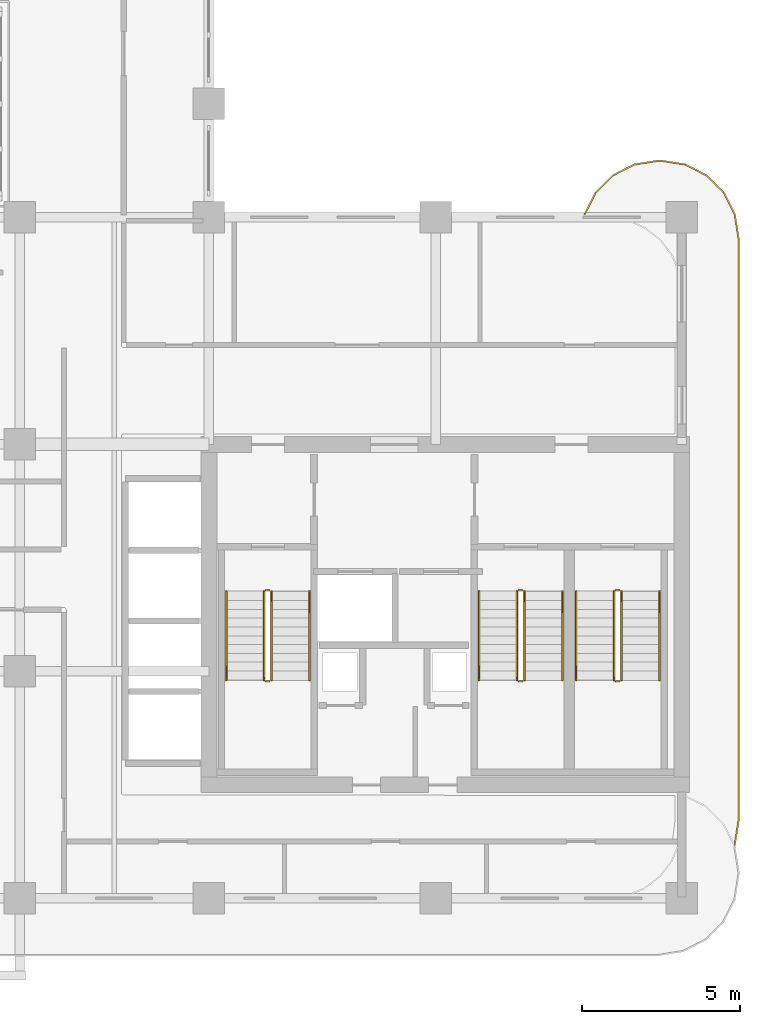
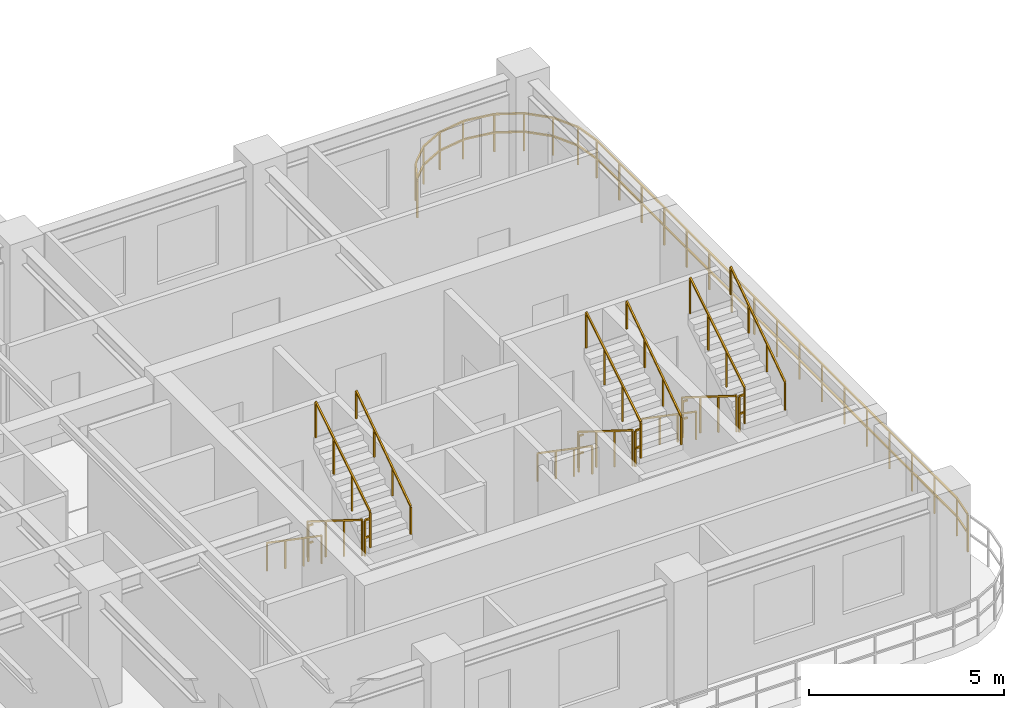
# One storey, part 19 of 21: 19 railings.
"""IFC4 building model written with IfcOpenShell, lengths in metres."""

from ifc_helpers import new_model, si_unit, derived_unit, direction, frame, origin, origin_2d, place, context, subcontext, project, spatial, rectangle, extrude, material, type_object, element, save


model = new_model("IFC4")

# Units and contexts
model_context = context("Model", 3, precision=1e-05, world=origin(), true_north=direction((0.0, 1.0)))
body_context = subcontext(model_context, "Body", "Model", "MODEL_VIEW")
ifc_project = project(units=[si_unit("LENGTHUNIT", "METRE"), si_unit("AREAUNIT", "SQUARE_METRE"), si_unit("VOLUMEUNIT", "CUBIC_METRE"), si_unit("PLANEANGLEUNIT", "RADIAN"), si_unit("MASSUNIT", "GRAM", prefix="KILO"), si_unit("THERMODYNAMICTEMPERATUREUNIT", "KELVIN"), si_unit("POWERUNIT", "WATT"), derived_unit("THERMALTRANSMITTANCEUNIT", [(si_unit("POWERUNIT", "WATT"), 1), (si_unit("AREAUNIT", "SQUARE_METRE"), -1), (si_unit("THERMODYNAMICTEMPERATUREUNIT", "KELVIN"), -1)])], contexts=[model_context])

# Site, building, storey
site_placement = place(None, origin())
site = spatial("IfcSite", under=ifc_project, at=site_placement, CompositionType="ELEMENT")
building_placement = place(site_placement, origin())
building = spatial("IfcBuilding", under=site, at=building_placement, Name="Zahravan Archway Hotel and Residences", CompositionType="ELEMENT")
storey_placement = place(building_placement, frame((0.0, 0.0, 165.699951171875)))
storey = spatial("IfcBuildingStorey", under=building, at=storey_placement, Name="L41", CompositionType="ELEMENT", Elevation=165.699951171875)

# Railings
ifc_material_1 = material(Name="Bronze & Laminated Glass Balustrade", Category="glass")
railing_type_1 = type_object("IfcRailingType", Name="RL-BAL-1200", PredefinedType="BALUSTRADE", material=ifc_material_1)
railing_1_placement = place(storey_placement, frame((46.719970703125, 21.70703125, 0.0)))
element("IfcRailing", 1, at=railing_1_placement, inside=storey, type_object=railing_type_1, Name="L41 Balustrade RL-SLB-BAL-L41-EA-1", PredefinedType="BALUSTRADE", context=body_context, shape_type="SweptSolid", body=[
    extrude(rectangle(XDim=0.048095703125, YDim=0.048095703125, at=origin_2d()), frame((0.0, 0.0, 1.17578125), z_axis=(0.453825591531, 0.891090529897, 0.0), x_axis=(-0.891090529897, 0.453825591531, 0.0)), (0.0, 0.0, 1.0), 0.7666015625),
    extrude(rectangle(XDim=0.048095703125, YDim=0.048095703125, at=origin_2d()), frame((0.0, 0.0, 0.60009765625), z_axis=(0.453825591531, 0.891090529897, 0.0), x_axis=(-0.891090529897, 0.453825591531, 0.0)), (0.0, 0.0, 1.0), 0.7666015625),
    extrude(rectangle(XDim=0.048095703125, YDim=0.048095703125, at=origin_2d()), frame((0.347900390625, 0.68310546875, 1.17578125), z_axis=(0.707106781187, 0.707106781187, 0.0), x_axis=(-0.707106781187, 0.707106781187, 0.0)), (0.0, 0.0, 1.0), 0.7666015625),
    extrude(rectangle(XDim=0.048095703125, YDim=0.048095703125, at=origin_2d()), frame((0.347900390625, 0.68310546875, 0.60009765625), z_axis=(0.707106781187, 0.707106781187, 0.0), x_axis=(-0.707106781187, 0.707106781187, 0.0)), (0.0, 0.0, 1.0), 0.7666015625),
    extrude(rectangle(XDim=0.048095703125, YDim=0.048095703125, at=origin_2d()), frame((0.889892578125, 1.22509765625, 1.17578125), z_axis=(0.891090529897, 0.453825591531, 0.0), x_axis=(-0.453825591531, 0.891090529897, 0.0)), (0.0, 0.0, 1.0), 0.7666015625),
    extrude(rectangle(XDim=0.048095703125, YDim=0.048095703125, at=origin_2d()), frame((0.889892578125, 1.22509765625, 0.60009765625), z_axis=(0.891090529897, 0.453825591531, 0.0), x_axis=(-0.453825591531, 0.891090529897, 0.0)), (0.0, 0.0, 1.0), 0.7666015625),
    extrude(rectangle(XDim=0.048095703125, YDim=0.048095703125, at=origin_2d()), frame((1.572998046875, 1.572998046875, 1.17578125), z_axis=(0.987695728695, 0.156387811283, 0.0), x_axis=(-0.156387811283, 0.987695728695, 0.0)), (0.0, 0.0, 1.0), 0.7666015625),
    extrude(rectangle(XDim=0.048095703125, YDim=0.048095703125, at=origin_2d()), frame((1.572998046875, 1.572998046875, 0.60009765625), z_axis=(0.987695728695, 0.156387811283, 0.0), x_axis=(-0.156387811283, 0.987695728695, 0.0)), (0.0, 0.0, 1.0), 0.7666015625),
    extrude(rectangle(XDim=0.048095703125, YDim=0.048095703125, at=origin_2d()), frame((2.330078125, 1.69287109375, 1.17578125), z_axis=(1.0, 0.0, 0.0), x_axis=(0.0, 1.0, 0.0)), (0.0, 0.0, 1.0), 0.099853515625),
    extrude(rectangle(XDim=0.048095703125, YDim=0.048095703125, at=origin_2d()), frame((2.330078125, 1.69287109375, 0.60009765625), z_axis=(1.0, 0.0, 0.0), x_axis=(0.0, 1.0, 0.0)), (0.0, 0.0, 1.0), 0.099853515625),
    extrude(rectangle(XDim=0.048095703125, YDim=0.048095703125, at=origin_2d()), frame((2.429931640625, 1.69287109375, 1.17578125), z_axis=(0.987695728695, -0.156387811283, 0.0), x_axis=(0.156387811283, 0.987695728695, 0.0)), (0.0, 0.0, 1.0), 0.7666015625),
    extrude(rectangle(XDim=0.048095703125, YDim=0.048095703125, at=origin_2d()), frame((2.429931640625, 1.69287109375, 0.60009765625), z_axis=(0.987695728695, -0.156387811283, 0.0), x_axis=(0.156387811283, 0.987695728695, 0.0)), (0.0, 0.0, 1.0), 0.7666015625),
    extrude(rectangle(XDim=0.048095703125, YDim=0.048095703125, at=origin_2d()), frame((3.18701171875, 1.572998046875, 1.17578125), z_axis=(0.891090529897, -0.453825591531, 0.0), x_axis=(0.453825591531, 0.891090529897, 0.0)), (0.0, 0.0, 1.0), 0.7666015625),
    extrude(rectangle(XDim=0.048095703125, YDim=0.048095703125, at=origin_2d()), frame((3.18701171875, 1.572998046875, 0.60009765625), z_axis=(0.891090529897, -0.453825591531, 0.0), x_axis=(0.453825591531, 0.891090529897, 0.0)), (0.0, 0.0, 1.0), 0.7666015625),
    extrude(rectangle(XDim=0.048095703125, YDim=0.048095703125, at=origin_2d()), frame((3.8701171875, 1.22509765625, 1.17578125), z_axis=(0.707106781187, -0.707106781187, 0.0), x_axis=(0.707106781187, 0.707106781187, 0.0)), (0.0, 0.0, 1.0), 0.7666015625),
    extrude(rectangle(XDim=0.048095703125, YDim=0.048095703125, at=origin_2d()), frame((3.8701171875, 1.22509765625, 0.60009765625), z_axis=(0.707106781187, -0.707106781187, 0.0), x_axis=(0.707106781187, 0.707106781187, 0.0)), (0.0, 0.0, 1.0), 0.7666015625),
    extrude(rectangle(XDim=0.048095703125, YDim=0.048095703125, at=origin_2d()), frame((4.412109375, 0.68310546875, 1.17578125), z_axis=(0.453825591531, -0.891090529897, 0.0), x_axis=(0.891090529897, 0.453825591531, 0.0)), (0.0, 0.0, 1.0), 0.7666015625),
    extrude(rectangle(XDim=0.048095703125, YDim=0.048095703125, at=origin_2d()), frame((4.412109375, 0.68310546875, 0.60009765625), z_axis=(0.453825591531, -0.891090529897, 0.0), x_axis=(0.891090529897, 0.453825591531, 0.0)), (0.0, 0.0, 1.0), 0.7666015625),
    extrude(rectangle(XDim=0.048095703125, YDim=0.048095703125, at=origin_2d()), frame((4.760009765625, 0.0, 1.17578125), z_axis=(0.156698507018, -0.987646484274, 0.0), x_axis=(0.987646484274, 0.156698507018, 0.0)), (0.0, 0.0, 1.0), 0.7666015625),
    extrude(rectangle(XDim=0.048095703125, YDim=0.048095703125, at=origin_2d()), frame((4.760009765625, 0.0, 0.60009765625), z_axis=(0.156698507018, -0.987646484274, 0.0), x_axis=(0.987646484274, 0.156698507018, 0.0)), (0.0, 0.0, 1.0), 0.7666015625),
    extrude(rectangle(XDim=0.048095703125, YDim=0.048095703125, at=origin_2d()), frame((4.880126953125, -0.757080078125, 1.17578125), z_axis=(0.0, -1.0, 0.0), x_axis=(1.0, 0.0, 0.0)), (0.0, 0.0, 1.0), 18.5),
    extrude(rectangle(XDim=0.048095703125, YDim=0.048095703125, at=origin_2d()), frame((4.880126953125, -0.757080078125, 0.60009765625), z_axis=(0.0, -1.0, 0.0), x_axis=(1.0, 0.0, 0.0)), (0.0, 0.0, 1.0), 18.5),
    extrude(rectangle(XDim=0.048095703125, YDim=0.048095703125, at=origin_2d()), frame((4.880126953125, -19.257080078125, 1.17578125), z_axis=(-0.156698507018, -0.987646484274, 0.0), x_axis=(0.987646484274, -0.156698507018, 0.0)), (0.0, 0.0, 1.0), 0.7666015625),
    extrude(rectangle(XDim=0.048095703125, YDim=0.048095703125, at=origin_2d()), frame((4.880126953125, -19.257080078125, 0.60009765625), z_axis=(-0.156698507018, -0.987646484274, 0.0), x_axis=(0.987646484274, -0.156698507018, 0.0)), (0.0, 0.0, 1.0), 0.7666015625),
    extrude(rectangle(XDim=0.0419921875, YDim=0.0419921875, at=origin_2d()), origin(), (0.0, 0.0, 1.0), 1.15185546875),
    extrude(rectangle(XDim=0.0419921875, YDim=0.0419921875, at=origin_2d()), frame((0.347900390625, 0.68310546875, 0.0)), (0.0, 0.0, 1.0), 1.15185546875),
    extrude(rectangle(XDim=0.0419921875, YDim=0.0419921875, at=origin_2d()), frame((0.889892578125, 1.22509765625, 0.0)), (0.0, 0.0, 1.0), 1.15185546875),
    extrude(rectangle(XDim=0.0419921875, YDim=0.0419921875, at=origin_2d()), frame((1.572998046875, 1.572998046875, 0.0)), (0.0, 0.0, 1.0), 1.15185546875),
    extrude(rectangle(XDim=0.0419921875, YDim=0.0419921875, at=origin_2d()), frame((2.330078125, 1.69287109375, 0.0)), (0.0, 0.0, 1.0), 1.15185546875),
    extrude(rectangle(XDim=0.0419921875, YDim=0.0419921875, at=origin_2d()), frame((3.18701171875, 1.572998046875, 0.0)), (0.0, 0.0, 1.0), 1.15185546875),
    extrude(rectangle(XDim=0.0419921875, YDim=0.0419921875, at=origin_2d()), frame((3.8701171875, 1.22509765625, 0.0)), (0.0, 0.0, 1.0), 1.15185546875),
    extrude(rectangle(XDim=0.0419921875, YDim=0.0419921875, at=origin_2d()), frame((4.412109375, 0.68310546875, 0.0)), (0.0, 0.0, 1.0), 1.15185546875),
    extrude(rectangle(XDim=0.0419921875, YDim=0.0419921875, at=origin_2d()), frame((4.760009765625, 0.0, 0.0)), (0.0, 0.0, 1.0), 1.15185546875),
    extrude(rectangle(XDim=0.0419921875, YDim=0.0419921875, at=origin_2d()), frame((4.880126953125, -0.757080078125, 0.0)), (0.0, 0.0, 1.0), 1.15185546875),
    extrude(rectangle(XDim=0.0419921875, YDim=0.0419921875, at=origin_2d()), frame((4.880126953125, -1.913330078125, 0.0)), (0.0, 0.0, 1.0), 1.15185546875),
    extrude(rectangle(XDim=0.0419921875, YDim=0.0419921875, at=origin_2d()), frame((4.880126953125, -3.069580078125, 0.0)), (0.0, 0.0, 1.0), 1.15185546875),
    extrude(rectangle(XDim=0.0419921875, YDim=0.0419921875, at=origin_2d()), frame((4.880126953125, -4.225830078125, 0.0)), (0.0, 0.0, 1.0), 1.15185546875),
    extrude(rectangle(XDim=0.0419921875, YDim=0.0419921875, at=origin_2d()), frame((4.880126953125, -5.382080078125, 0.0)), (0.0, 0.0, 1.0), 1.15185546875),
    extrude(rectangle(XDim=0.0419921875, YDim=0.0419921875, at=origin_2d()), frame((4.880126953125, -6.538330078125, 0.0)), (0.0, 0.0, 1.0), 1.15185546875),
    extrude(rectangle(XDim=0.0419921875, YDim=0.0419921875, at=origin_2d()), frame((4.880126953125, -7.694580078125, 0.0)), (0.0, 0.0, 1.0), 1.15185546875),
    extrude(rectangle(XDim=0.0419921875, YDim=0.0419921875, at=origin_2d()), frame((4.880126953125, -8.850830078125, 0.0)), (0.0, 0.0, 1.0), 1.15185546875),
    extrude(rectangle(XDim=0.0419921875, YDim=0.0419921875, at=origin_2d()), frame((4.880126953125, -10.007080078125, 0.0)), (0.0, 0.0, 1.0), 1.15185546875),
    extrude(rectangle(XDim=0.0419921875, YDim=0.0419921875, at=origin_2d()), frame((4.880126953125, -11.163330078125, 0.0)), (0.0, 0.0, 1.0), 1.15185546875),
    extrude(rectangle(XDim=0.0419921875, YDim=0.0419921875, at=origin_2d()), frame((4.880126953125, -12.319580078125, 0.0)), (0.0, 0.0, 1.0), 1.15185546875),
    extrude(rectangle(XDim=0.0419921875, YDim=0.0419921875, at=origin_2d()), frame((4.880126953125, -13.475830078125, 0.0)), (0.0, 0.0, 1.0), 1.15185546875),
    extrude(rectangle(XDim=0.0419921875, YDim=0.0419921875, at=origin_2d()), frame((4.880126953125, -14.632080078125, 0.0)), (0.0, 0.0, 1.0), 1.15185546875),
    extrude(rectangle(XDim=0.0419921875, YDim=0.0419921875, at=origin_2d()), frame((4.880126953125, -15.788330078125, 0.0)), (0.0, 0.0, 1.0), 1.15185546875),
    extrude(rectangle(XDim=0.0419921875, YDim=0.0419921875, at=origin_2d()), frame((4.880126953125, -16.944580078125, 0.0)), (0.0, 0.0, 1.0), 1.15185546875),
    extrude(rectangle(XDim=0.0419921875, YDim=0.0419921875, at=origin_2d()), frame((4.880126953125, -18.100830078125, 0.0)), (0.0, 0.0, 1.0), 1.15185546875),
    extrude(rectangle(XDim=0.0419921875, YDim=0.0419921875, at=origin_2d()), frame((4.880126953125, -19.257080078125, 0.0)), (0.0, 0.0, 1.0), 1.15185546875),
    extrude(rectangle(XDim=0.0419921875, YDim=0.0419921875, at=origin_2d()), frame((4.760009765625, -20.01416015625, 0.0)), (0.0, 0.0, 1.0), 1.15185546875),
])
ifc_material_2 = material(Name="Painted Tubular Steel", Category="steel")
railing_type_2 = type_object("IfcRailingType", Name="RL-STG-1150", PredefinedType="GUARDRAIL", material=ifc_material_2)
railing_2_placement = place(storey_placement, frame((36.550048828125, 9.72998046875, 0.175048828125)))
element("IfcRailing", 2, at=railing_2_placement, inside=storey, type_object=railing_type_2, Name="L41 ST-A1 stair guard 1", PredefinedType="GUARDRAIL", context=body_context, shape_type="SweptSolid", body=[
    extrude(rectangle(XDim=0.048095703125, YDim=0.048095703125, at=origin_2d()), frame((0.0, 0.0, 1.1259765625), z_axis=(0.0, -0.848002457836, 0.529992293815), x_axis=(1.0, 0.0, 0.0)), (0.0, 0.0, 1.0), 3.302001953125),
    extrude(rectangle(XDim=0.0419921875, YDim=0.0419921875, at=origin_2d()), origin(), (0.0, 0.0, 1.0), 1.101806640625),
    extrude(rectangle(XDim=0.0419921875, YDim=0.0419921875, at=origin_2d()), frame((0.0, -0.933349609375, 0.583251953125)), (0.0, 0.0, 1.0), 1.101806640625),
    extrude(rectangle(XDim=0.0419921875, YDim=0.0419921875, at=origin_2d()), frame((0.0, -1.86669921875, 1.166748046875)), (0.0, 0.0, 1.0), 1.101806640625),
    extrude(rectangle(XDim=0.0419921875, YDim=0.0419921875, at=origin_2d()), frame((0.0, -2.800048828125, 1.75)), (0.0, 0.0, 1.0), 1.101806640625),
])
railing_3_placement = place(storey_placement, frame((36.60009765625, 6.8798828125, 1.925048828125)))
element("IfcRailing", 3, at=railing_3_placement, inside=storey, type_object=railing_type_2, Name="L41 ST-A1 stair guard 2", PredefinedType="GUARDRAIL", context=body_context, shape_type="SweptSolid", body=[
    extrude(rectangle(XDim=0.048095703125, YDim=0.048095703125, at=origin_2d()), frame((0.0, 0.0, 1.1259765625), z_axis=(1.0, 0.0, 0.0), x_axis=(0.0, 1.0, 0.0)), (0.0, 0.0, 1.0), 0.139892578125),
    extrude(rectangle(XDim=0.048095703125, YDim=0.048095703125, at=origin_2d()), frame((0.0, 0.0, 0.574951171875), z_axis=(1.0, 0.0, 0.0), x_axis=(0.0, 1.0, 0.0)), (0.0, 0.0, 1.0), 0.139892578125),
    extrude(rectangle(XDim=0.0419921875, YDim=0.0419921875, at=origin_2d()), origin(), (0.0, 0.0, 1.0), 1.101806640625),
])
railing_4_placement = place(storey_placement, frame((36.7900390625, 6.929931640625, 2.10009765625)))
element("IfcRailing", 4, at=railing_4_placement, inside=storey, type_object=railing_type_2, Name="L41 ST-A1 stair guard 3", PredefinedType="GUARDRAIL", context=body_context, shape_type="SweptSolid", body=[
    extrude(rectangle(XDim=0.048095703125, YDim=0.048095703125, at=origin_2d()), frame((0.0, 0.0, 1.1259765625), z_axis=(0.0, 0.848002457836, 0.529992293815), x_axis=(-1.0, 0.0, 0.0)), (0.0, 0.0, 1.0), 3.302001953125),
    extrude(rectangle(XDim=0.0419921875, YDim=0.0419921875, at=origin_2d()), origin(), (0.0, 0.0, 1.0), 1.101806640625),
    extrude(rectangle(XDim=0.0419921875, YDim=0.0419921875, at=origin_2d()), frame((0.0, 0.933349609375, 0.583251953125)), (0.0, 0.0, 1.0), 1.101806640625),
    extrude(rectangle(XDim=0.0419921875, YDim=0.0419921875, at=origin_2d()), frame((0.0, 1.86669921875, 1.166748046875)), (0.0, 0.0, 1.0), 1.101806640625),
    extrude(rectangle(XDim=0.0419921875, YDim=0.0419921875, at=origin_2d()), frame((0.0, 2.800048828125, 1.75)), (0.0, 0.0, 1.0), 1.101806640625),
])
railing_5_placement = place(storey_placement, frame((36.60009765625, 9.780029296875, 0.0)))
element("IfcRailing", 5, at=railing_5_placement, inside=storey, type_object=railing_type_2, Name="L41 ST-A1 stair guard 4", PredefinedType="GUARDRAIL", context=body_context, shape_type="SweptSolid", body=[
    extrude(rectangle(XDim=0.048095703125, YDim=0.048095703125, at=origin_2d()), frame((0.0, 0.0, 1.1259765625), z_axis=(1.0, 0.0, 0.0), x_axis=(0.0, 1.0, 0.0)), (0.0, 0.0, 1.0), 0.139892578125),
    extrude(rectangle(XDim=0.048095703125, YDim=0.048095703125, at=origin_2d()), frame((0.0, 0.0, 0.574951171875), z_axis=(1.0, 0.0, 0.0), x_axis=(0.0, 1.0, 0.0)), (0.0, 0.0, 1.0), 0.139892578125),
    extrude(rectangle(XDim=0.0419921875, YDim=0.0419921875, at=origin_2d()), origin(), (0.0, 0.0, 1.0), 1.101806640625),
])
railing_6_placement = place(storey_placement, frame((44.570068359375, 9.72998046875, 0.175048828125)))
element("IfcRailing", 6, at=railing_6_placement, inside=storey, type_object=railing_type_2, Name="L41 ST-A2 stair guard 1", PredefinedType="GUARDRAIL", context=body_context, shape_type="SweptSolid", body=[
    extrude(rectangle(XDim=0.048095703125, YDim=0.048095703125, at=origin_2d()), frame((0.0, 0.0, 1.1259765625), z_axis=(0.0, -0.848002457836, 0.529992293815), x_axis=(1.0, 0.0, 0.0)), (0.0, 0.0, 1.0), 3.302001953125),
    extrude(rectangle(XDim=0.0419921875, YDim=0.0419921875, at=origin_2d()), origin(), (0.0, 0.0, 1.0), 1.101806640625),
    extrude(rectangle(XDim=0.0419921875, YDim=0.0419921875, at=origin_2d()), frame((0.0, -0.933349609375, 0.583251953125)), (0.0, 0.0, 1.0), 1.101806640625),
    extrude(rectangle(XDim=0.0419921875, YDim=0.0419921875, at=origin_2d()), frame((0.0, -1.86669921875, 1.166748046875)), (0.0, 0.0, 1.0), 1.101806640625),
    extrude(rectangle(XDim=0.0419921875, YDim=0.0419921875, at=origin_2d()), frame((0.0, -2.800048828125, 1.75)), (0.0, 0.0, 1.0), 1.101806640625),
])
railing_7_placement = place(storey_placement, frame((44.6201171875, 6.8798828125, 1.925048828125)))
element("IfcRailing", 7, at=railing_7_placement, inside=storey, type_object=railing_type_2, Name="L41 ST-A2 stair guard 2", PredefinedType="GUARDRAIL", context=body_context, shape_type="SweptSolid", body=[
    extrude(rectangle(XDim=0.048095703125, YDim=0.048095703125, at=origin_2d()), frame((0.0, 0.0, 1.1259765625), z_axis=(1.0, 0.0, 0.0), x_axis=(0.0, 1.0, 0.0)), (0.0, 0.0, 1.0), 0.139892578125),
    extrude(rectangle(XDim=0.048095703125, YDim=0.048095703125, at=origin_2d()), frame((0.0, 0.0, 0.574951171875), z_axis=(1.0, 0.0, 0.0), x_axis=(0.0, 1.0, 0.0)), (0.0, 0.0, 1.0), 0.139892578125),
    extrude(rectangle(XDim=0.0419921875, YDim=0.0419921875, at=origin_2d()), origin(), (0.0, 0.0, 1.0), 1.101806640625),
])
railing_8_placement = place(storey_placement, frame((44.81005859375, 6.929931640625, 2.10009765625)))
element("IfcRailing", 8, at=railing_8_placement, inside=storey, type_object=railing_type_2, Name="L41 ST-A2 stair guard 3", PredefinedType="GUARDRAIL", context=body_context, shape_type="SweptSolid", body=[
    extrude(rectangle(XDim=0.048095703125, YDim=0.048095703125, at=origin_2d()), frame((0.0, 0.0, 1.1259765625), z_axis=(0.0, 0.848002457836, 0.529992293815), x_axis=(-1.0, 0.0, 0.0)), (0.0, 0.0, 1.0), 3.302001953125),
    extrude(rectangle(XDim=0.0419921875, YDim=0.0419921875, at=origin_2d()), origin(), (0.0, 0.0, 1.0), 1.101806640625),
    extrude(rectangle(XDim=0.0419921875, YDim=0.0419921875, at=origin_2d()), frame((0.0, 0.933349609375, 0.583251953125)), (0.0, 0.0, 1.0), 1.101806640625),
    extrude(rectangle(XDim=0.0419921875, YDim=0.0419921875, at=origin_2d()), frame((0.0, 1.86669921875, 1.166748046875)), (0.0, 0.0, 1.0), 1.101806640625),
    extrude(rectangle(XDim=0.0419921875, YDim=0.0419921875, at=origin_2d()), frame((0.0, 2.800048828125, 1.75)), (0.0, 0.0, 1.0), 1.101806640625),
])
railing_9_placement = place(storey_placement, frame((44.6201171875, 9.780029296875, 0.0)))
element("IfcRailing", 9, at=railing_9_placement, inside=storey, type_object=railing_type_2, Name="L41 ST-A2 stair guard 4", PredefinedType="GUARDRAIL", context=body_context, shape_type="SweptSolid", body=[
    extrude(rectangle(XDim=0.048095703125, YDim=0.048095703125, at=origin_2d()), frame((0.0, 0.0, 1.1259765625), z_axis=(1.0, 0.0, 0.0), x_axis=(0.0, 1.0, 0.0)), (0.0, 0.0, 1.0), 0.139892578125),
    extrude(rectangle(XDim=0.048095703125, YDim=0.048095703125, at=origin_2d()), frame((0.0, 0.0, 0.574951171875), z_axis=(1.0, 0.0, 0.0), x_axis=(0.0, 1.0, 0.0)), (0.0, 0.0, 1.0), 0.139892578125),
    extrude(rectangle(XDim=0.0419921875, YDim=0.0419921875, at=origin_2d()), origin(), (0.0, 0.0, 1.0), 1.101806640625),
])
railing_10_placement = place(storey_placement, frame((47.64990234375, 9.72998046875, 0.175048828125)))
element("IfcRailing", 10, at=railing_10_placement, inside=storey, type_object=railing_type_2, Name="L41 ST-A3 stair guard 1", PredefinedType="GUARDRAIL", context=body_context, shape_type="SweptSolid", body=[
    extrude(rectangle(XDim=0.048095703125, YDim=0.048095703125, at=origin_2d()), frame((0.0, 0.0, 1.1259765625), z_axis=(0.0, -0.848002457836, 0.529992293815), x_axis=(1.0, 0.0, 0.0)), (0.0, 0.0, 1.0), 3.302001953125),
    extrude(rectangle(XDim=0.0419921875, YDim=0.0419921875, at=origin_2d()), origin(), (0.0, 0.0, 1.0), 1.101806640625),
    extrude(rectangle(XDim=0.0419921875, YDim=0.0419921875, at=origin_2d()), frame((0.0, -0.933349609375, 0.583251953125)), (0.0, 0.0, 1.0), 1.101806640625),
    extrude(rectangle(XDim=0.0419921875, YDim=0.0419921875, at=origin_2d()), frame((0.0, -1.86669921875, 1.166748046875)), (0.0, 0.0, 1.0), 1.101806640625),
    extrude(rectangle(XDim=0.0419921875, YDim=0.0419921875, at=origin_2d()), frame((0.0, -2.800048828125, 1.75)), (0.0, 0.0, 1.0), 1.101806640625),
])
railing_11_placement = place(storey_placement, frame((47.699951171875, 6.8798828125, 1.925048828125)))
element("IfcRailing", 11, at=railing_11_placement, inside=storey, type_object=railing_type_2, Name="L41 ST-A3 stair guard 2", PredefinedType="GUARDRAIL", context=body_context, shape_type="SweptSolid", body=[
    extrude(rectangle(XDim=0.048095703125, YDim=0.048095703125, at=origin_2d()), frame((0.0, 0.0, 1.1259765625), z_axis=(1.0, 0.0, 0.0), x_axis=(0.0, 1.0, 0.0)), (0.0, 0.0, 1.0), 0.14013671875),
    extrude(rectangle(XDim=0.048095703125, YDim=0.048095703125, at=origin_2d()), frame((0.0, 0.0, 0.574951171875), z_axis=(1.0, 0.0, 0.0), x_axis=(0.0, 1.0, 0.0)), (0.0, 0.0, 1.0), 0.14013671875),
    extrude(rectangle(XDim=0.0419921875, YDim=0.0419921875, at=origin_2d()), origin(), (0.0, 0.0, 1.0), 1.101806640625),
])
railing_12_placement = place(storey_placement, frame((47.889892578125, 6.929931640625, 2.10009765625)))
element("IfcRailing", 12, at=railing_12_placement, inside=storey, type_object=railing_type_2, Name="L41 ST-A3 stair guard 3", PredefinedType="GUARDRAIL", context=body_context, shape_type="SweptSolid", body=[
    extrude(rectangle(XDim=0.048095703125, YDim=0.048095703125, at=origin_2d()), frame((0.0, 0.0, 1.1259765625), z_axis=(0.0, 0.848002457836, 0.529992293815), x_axis=(-1.0, 0.0, 0.0)), (0.0, 0.0, 1.0), 3.302001953125),
    extrude(rectangle(XDim=0.0419921875, YDim=0.0419921875, at=origin_2d()), origin(), (0.0, 0.0, 1.0), 1.101806640625),
    extrude(rectangle(XDim=0.0419921875, YDim=0.0419921875, at=origin_2d()), frame((0.0, 0.933349609375, 0.583251953125)), (0.0, 0.0, 1.0), 1.101806640625),
    extrude(rectangle(XDim=0.0419921875, YDim=0.0419921875, at=origin_2d()), frame((0.0, 1.86669921875, 1.166748046875)), (0.0, 0.0, 1.0), 1.101806640625),
    extrude(rectangle(XDim=0.0419921875, YDim=0.0419921875, at=origin_2d()), frame((0.0, 2.800048828125, 1.75)), (0.0, 0.0, 1.0), 1.101806640625),
])
railing_13_placement = place(storey_placement, frame((47.699951171875, 9.780029296875, 0.0)))
element("IfcRailing", 13, at=railing_13_placement, inside=storey, type_object=railing_type_2, Name="L41 ST-A3 stair guard 4", PredefinedType="GUARDRAIL", context=body_context, shape_type="SweptSolid", body=[
    extrude(rectangle(XDim=0.048095703125, YDim=0.048095703125, at=origin_2d()), frame((0.0, 0.0, 1.1259765625), z_axis=(1.0, 0.0, 0.0), x_axis=(0.0, 1.0, 0.0)), (0.0, 0.0, 1.0), 0.14013671875),
    extrude(rectangle(XDim=0.048095703125, YDim=0.048095703125, at=origin_2d()), frame((0.0, 0.0, 0.574951171875), z_axis=(1.0, 0.0, 0.0), x_axis=(0.0, 1.0, 0.0)), (0.0, 0.0, 1.0), 0.14013671875),
    extrude(rectangle(XDim=0.0419921875, YDim=0.0419921875, at=origin_2d()), origin(), (0.0, 0.0, 1.0), 1.101806640625),
])
ifc_material_3 = material(Name="Brushed Stainless Steel", Category="steel")
railing_type_3 = type_object("IfcRailingType", Name="RL-STH-900", PredefinedType="HANDRAIL", material=ifc_material_3)
railing_14_placement = place(storey_placement, frame((35.35009765625, 9.72998046875, 0.175048828125)))
element("IfcRailing", 14, at=railing_14_placement, inside=storey, type_object=railing_type_3, Name="L41 ST-A1 stair handrail 1", PredefinedType="HANDRAIL", context=body_context, shape_type="SweptSolid", body=[
    extrude(rectangle(XDim=0.048095703125, YDim=0.048095703125, at=origin_2d()), frame((0.0, 0.0, 0.8759765625), z_axis=(0.0, -0.824039827795, 0.566531872191), x_axis=(1.0, 0.0, 0.0)), (0.0, 0.0, 1.0), 3.39794921875),
    extrude(rectangle(XDim=0.0419921875, YDim=0.0419921875, at=origin_2d()), origin(), (0.0, 0.0, 1.0), 0.851806640625),
    extrude(rectangle(XDim=0.0419921875, YDim=0.0419921875, at=origin_2d()), frame((0.0, -0.933349609375, 0.6416015625)), (0.0, 0.0, 1.0), 0.851806640625),
    extrude(rectangle(XDim=0.0419921875, YDim=0.0419921875, at=origin_2d()), frame((0.0, -1.86669921875, 1.283447265625)), (0.0, 0.0, 1.0), 0.851806640625),
    extrude(rectangle(XDim=0.0419921875, YDim=0.0419921875, at=origin_2d()), frame((0.0, -2.800048828125, 1.925048828125)), (0.0, 0.0, 1.0), 0.851806640625),
])
railing_15_placement = place(storey_placement, frame((37.989990234375, 6.929931640625, 2.10009765625)))
element("IfcRailing", 15, at=railing_15_placement, inside=storey, type_object=railing_type_3, Name="L41 ST-A1 stair handrail 2", PredefinedType="HANDRAIL", context=body_context, shape_type="SweptSolid", body=[
    extrude(rectangle(XDim=0.048095703125, YDim=0.048095703125, at=origin_2d()), frame((0.0, 0.0, 0.8759765625), z_axis=(0.0, 0.824039827795, 0.566531872191), x_axis=(-1.0, 0.0, 0.0)), (0.0, 0.0, 1.0), 3.39794921875),
    extrude(rectangle(XDim=0.0419921875, YDim=0.0419921875, at=origin_2d()), origin(), (0.0, 0.0, 1.0), 0.851806640625),
    extrude(rectangle(XDim=0.0419921875, YDim=0.0419921875, at=origin_2d()), frame((0.0, 0.933349609375, 0.6416015625)), (0.0, 0.0, 1.0), 0.851806640625),
    extrude(rectangle(XDim=0.0419921875, YDim=0.0419921875, at=origin_2d()), frame((0.0, 1.86669921875, 1.283447265625)), (0.0, 0.0, 1.0), 0.851806640625),
    extrude(rectangle(XDim=0.0419921875, YDim=0.0419921875, at=origin_2d()), frame((0.0, 2.800048828125, 1.925048828125)), (0.0, 0.0, 1.0), 0.851806640625),
])
railing_16_placement = place(storey_placement, frame((43.3701171875, 9.72998046875, 0.175048828125)))
element("IfcRailing", 16, at=railing_16_placement, inside=storey, type_object=railing_type_3, Name="L41 ST-A2 stair handrail 1", PredefinedType="HANDRAIL", context=body_context, shape_type="SweptSolid", body=[
    extrude(rectangle(XDim=0.048095703125, YDim=0.048095703125, at=origin_2d()), frame((0.0, 0.0, 0.8759765625), z_axis=(0.0, -0.824039827795, 0.566531872191), x_axis=(1.0, 0.0, 0.0)), (0.0, 0.0, 1.0), 3.39794921875),
    extrude(rectangle(XDim=0.0419921875, YDim=0.0419921875, at=origin_2d()), origin(), (0.0, 0.0, 1.0), 0.851806640625),
    extrude(rectangle(XDim=0.0419921875, YDim=0.0419921875, at=origin_2d()), frame((0.0, -0.933349609375, 0.6416015625)), (0.0, 0.0, 1.0), 0.851806640625),
    extrude(rectangle(XDim=0.0419921875, YDim=0.0419921875, at=origin_2d()), frame((0.0, -1.86669921875, 1.283447265625)), (0.0, 0.0, 1.0), 0.851806640625),
    extrude(rectangle(XDim=0.0419921875, YDim=0.0419921875, at=origin_2d()), frame((0.0, -2.800048828125, 1.925048828125)), (0.0, 0.0, 1.0), 0.851806640625),
])
railing_17_placement = place(storey_placement, frame((46.010009765625, 6.929931640625, 2.10009765625)))
element("IfcRailing", 17, at=railing_17_placement, inside=storey, type_object=railing_type_3, Name="L41 ST-A2 stair handrail 2", PredefinedType="HANDRAIL", context=body_context, shape_type="SweptSolid", body=[
    extrude(rectangle(XDim=0.048095703125, YDim=0.048095703125, at=origin_2d()), frame((0.0, 0.0, 0.8759765625), z_axis=(0.0, 0.824039827795, 0.566531872191), x_axis=(-1.0, 0.0, 0.0)), (0.0, 0.0, 1.0), 3.39794921875),
    extrude(rectangle(XDim=0.0419921875, YDim=0.0419921875, at=origin_2d()), origin(), (0.0, 0.0, 1.0), 0.851806640625),
    extrude(rectangle(XDim=0.0419921875, YDim=0.0419921875, at=origin_2d()), frame((0.0, 0.933349609375, 0.6416015625)), (0.0, 0.0, 1.0), 0.851806640625),
    extrude(rectangle(XDim=0.0419921875, YDim=0.0419921875, at=origin_2d()), frame((0.0, 1.86669921875, 1.283447265625)), (0.0, 0.0, 1.0), 0.851806640625),
    extrude(rectangle(XDim=0.0419921875, YDim=0.0419921875, at=origin_2d()), frame((0.0, 2.800048828125, 1.925048828125)), (0.0, 0.0, 1.0), 0.851806640625),
])
railing_18_placement = place(storey_placement, frame((46.449951171875, 9.72998046875, 0.175048828125)))
element("IfcRailing", 18, at=railing_18_placement, inside=storey, type_object=railing_type_3, Name="L41 ST-A3 stair handrail 1", PredefinedType="HANDRAIL", context=body_context, shape_type="SweptSolid", body=[
    extrude(rectangle(XDim=0.048095703125, YDim=0.048095703125, at=origin_2d()), frame((0.0, 0.0, 0.8759765625), z_axis=(0.0, -0.824039827795, 0.566531872191), x_axis=(1.0, 0.0, 0.0)), (0.0, 0.0, 1.0), 3.39794921875),
    extrude(rectangle(XDim=0.0419921875, YDim=0.0419921875, at=origin_2d()), origin(), (0.0, 0.0, 1.0), 0.851806640625),
    extrude(rectangle(XDim=0.0419921875, YDim=0.0419921875, at=origin_2d()), frame((0.0, -0.933349609375, 0.6416015625)), (0.0, 0.0, 1.0), 0.851806640625),
    extrude(rectangle(XDim=0.0419921875, YDim=0.0419921875, at=origin_2d()), frame((0.0, -1.86669921875, 1.283447265625)), (0.0, 0.0, 1.0), 0.851806640625),
    extrude(rectangle(XDim=0.0419921875, YDim=0.0419921875, at=origin_2d()), frame((0.0, -2.800048828125, 1.925048828125)), (0.0, 0.0, 1.0), 0.851806640625),
])
railing_19_placement = place(storey_placement, frame((49.090087890625, 6.929931640625, 2.10009765625)))
element("IfcRailing", 19, at=railing_19_placement, inside=storey, type_object=railing_type_3, Name="L41 ST-A3 stair handrail 2", PredefinedType="HANDRAIL", context=body_context, shape_type="SweptSolid", body=[
    extrude(rectangle(XDim=0.048095703125, YDim=0.048095703125, at=origin_2d()), frame((0.0, 0.0, 0.8759765625), z_axis=(0.0, 0.824039827795, 0.566531872191), x_axis=(-1.0, 0.0, 0.0)), (0.0, 0.0, 1.0), 3.39794921875),
    extrude(rectangle(XDim=0.0419921875, YDim=0.0419921875, at=origin_2d()), origin(), (0.0, 0.0, 1.0), 0.851806640625),
    extrude(rectangle(XDim=0.0419921875, YDim=0.0419921875, at=origin_2d()), frame((0.0, 0.933349609375, 0.6416015625)), (0.0, 0.0, 1.0), 0.851806640625),
    extrude(rectangle(XDim=0.0419921875, YDim=0.0419921875, at=origin_2d()), frame((0.0, 1.86669921875, 1.283447265625)), (0.0, 0.0, 1.0), 0.851806640625),
    extrude(rectangle(XDim=0.0419921875, YDim=0.0419921875, at=origin_2d()), frame((0.0, 2.800048828125, 1.925048828125)), (0.0, 0.0, 1.0), 0.851806640625),
])

save(model, "model.ifc")
